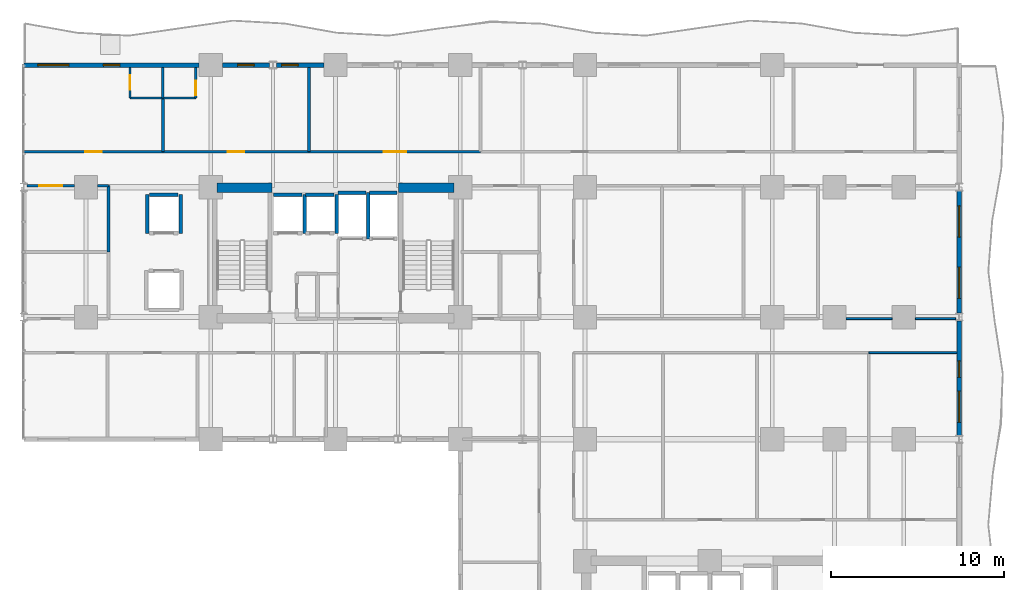
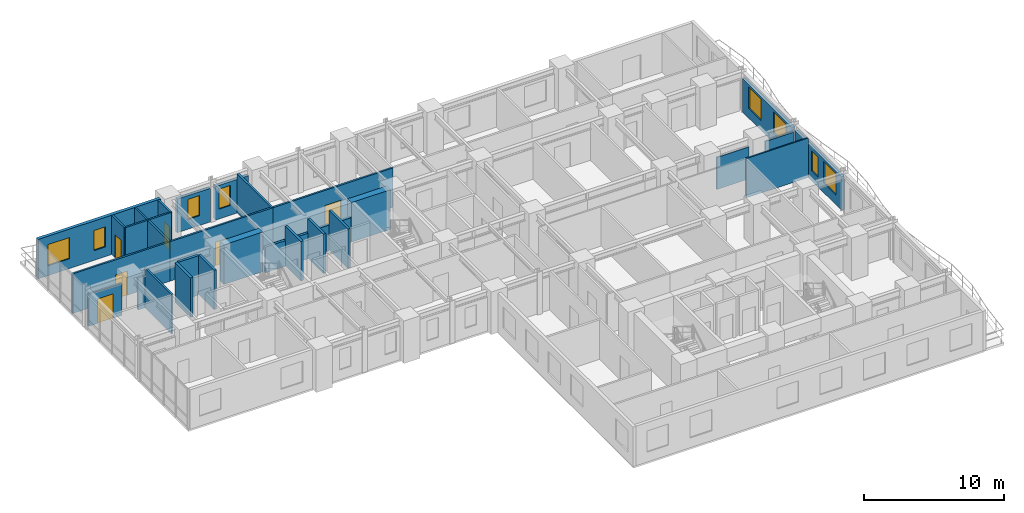
# One storey, part 14 of 19: 33 walls, 8 windows, 6 doors, 14 openings.
"""IFC4 building model written with IfcOpenShell, lengths in metres."""

from ifc_helpers import new_model, si_unit, direction, frame, frame_2d, origin, place, context, subcontext, project, spatial, rectangle, extrude, material, layer, layer_set, type_object, element, fill, save


model = new_model("IFC4")

# Units and contexts
model_context = context("Model", 3, precision=1e-05, world=origin(), true_north=direction((0.0, 1.0)))
body_context = subcontext(model_context, "Body", "Model", "MODEL_VIEW")
ifc_project = project(units=[si_unit("LENGTHUNIT", "METRE"), si_unit("AREAUNIT", "SQUARE_METRE"), si_unit("VOLUMEUNIT", "CUBIC_METRE"), si_unit("PLANEANGLEUNIT", "RADIAN"), si_unit("MASSUNIT", "GRAM", prefix="KILO")], contexts=[model_context])

# Site, building, storey
site_placement = place(None, origin())
site = spatial("IfcSite", under=ifc_project, at=site_placement, CompositionType="ELEMENT")
building_placement = place(site_placement, origin())
building = spatial("IfcBuilding", under=site, at=building_placement, Name="Kaliganga Portal Commons", CompositionType="ELEMENT")
storey_placement = place(building_placement, frame((0.0, 0.0, 47.5)))
storey = spatial("IfcBuildingStorey", under=building, at=storey_placement, Name="L11", CompositionType="ELEMENT", Elevation=47.5)

# Walls
ifc_material_1 = material(Name="Concrete C60/75", Category="concrete")
ifc_layer_1 = layer(ifc_material_1, 0.550048828125)
ifc_layer_set_1 = layer_set([ifc_layer_1], Name="Concrete C60/75")
wall_type_1 = type_object("IfcWallType", Name="WL-CORE-550", PredefinedType="SHEAR", material=ifc_layer_set_1)
for number, where, z_axis, x_axis, name in (
    (1, (14.75, 36.125, 0.0), (0.0, 0.0, 1.0), (1.0, 0.0, 0.0), "Core A N-West Shear Wall L11"),
    (2, (25.25, 36.125, 0.0), (0.0, 0.0, 1.0), (1.0, 0.0, 0.0), "Core A N-East Shear Wall L11"),
):
    element("IfcWall", number, at=place(storey_placement, frame(where, z_axis=z_axis, x_axis=x_axis)), inside=storey, type_object=wall_type_1, Name=name, PredefinedType="SHEAR", context=body_context, shape_type="SweptSolid", body=[
        extrude(rectangle(XDim=3.199951171875, YDim=0.550048828125, at=frame_2d((1.60009765625, 0.0))), origin(), (0.0, 0.0, 1.0), 3.449951171875),
    ])

# Wall, openings, windows
ifc_material_2 = material(Name="Insulated Aluminium-Clad Spandrel Assembly", Category="aluminium")
ifc_layer_2 = layer(ifc_material_2, 0.260009765625)
ifc_layer_set_2 = layer_set([ifc_layer_2], Name="Insulated Aluminium-Clad Spandrel Assembly")
wall_type_2 = type_object("IfcWallType", Name="WL-EXT-SPAND-260", PredefinedType="STANDARD", material=ifc_layer_set_2)
wall_1_placement = place(storey_placement, frame((57.60009765625, 28.426025390625, 0.0), z_axis=(0.0, 0.0, 1.0), x_axis=(0.0, -1.0, 0.0)))
wall_1 = element("IfcWall", 3, at=wall_1_placement, inside=storey, type_object=wall_type_2, Name="Exterior Envelope Wall L11 P1-E01-S4", PredefinedType="STANDARD", context=body_context, shape_type="SweptSolid", body=[
    extrude(rectangle(XDim=6.60205078125, YDim=0.260009765625, at=frame_2d((3.301025390625, 0.0))), origin(), (0.0, 0.0, 1.0), 2.929931640625),
])
opening_1_placement = place(wall_1_placement, frame((4.051513671875, 0.0, 0.85009765625)))
opening_1 = element("IfcOpeningElement", 4, at=opening_1_placement, cuts=wall_1, Name="Opening W-01", PredefinedType="OPENING", context=body_context, shape_type="SweptSolid", body=[
    extrude(rectangle(XDim=1.800048828125, YDim=1.85009765625, at=frame_2d((0.89990234375, 0.925048828125))), frame((0.0, 0.14013671875, 0.0), z_axis=(0.0, -1.0, 0.0), x_axis=(1.0, 0.0, 0.0)), (0.0, 0.0, 1.0), 0.280029296875),
])
opening_2_placement = place(wall_1_placement, frame((2.2978515625, 0.0, 0.85009765625)))
opening_2 = element("IfcOpeningElement", 5, at=opening_2_placement, cuts=wall_1, Name="Opening W-04", PredefinedType="OPENING", context=body_context, shape_type="SweptSolid", body=[
    extrude(rectangle(XDim=0.949951171875, YDim=1.75, at=frame_2d((0.47509765625, 0.875))), frame((0.0, 0.14013671875, 0.0), z_axis=(0.0, -1.0, 0.0), x_axis=(1.0, 0.0, 0.0)), (0.0, 0.0, 1.0), 0.280029296875),
])
ifc_material_3 = material(Name="Thermally Broken Aluminium and Low-E Double Glazing", Category="aluminium")
window_type_1 = type_object("IfcWindowType", Name="WIN-NARROW-950", PartitioningType="SINGLE_PANEL", PredefinedType="WINDOW", material=ifc_material_3)
window_1_placement = place(opening_2_placement, origin())
window_1 = element("IfcWindow", 6, at=window_1_placement, inside=storey, type_object=window_type_1, Name="Facade Window L11-P1E01S4-N5", OverallHeight=1.75, OverallWidth=0.949951171875, PartitioningType="SINGLE_PANEL", PredefinedType="WINDOW", context=body_context, shape_type="SweptSolid", body=[
    extrude(rectangle(XDim=0.949951171875, YDim=1.75, at=frame_2d((0.47509765625, 0.875))), frame((0.0, 0.030029296875, 0.0), z_axis=(0.0, -1.0, 0.0), x_axis=(1.0, 0.0, 0.0)), (0.0, 0.0, 1.0), 0.06005859375),
])
fill(opening_2, window_1)
window_type_2 = type_object("IfcWindowType", Name="WIN-STD-1800", PartitioningType="DOUBLE_PANEL_VERTICAL", PredefinedType="WINDOW", material=ifc_material_3)
window_2_placement = place(opening_1_placement, origin())
window_2 = element("IfcWindow", 7, at=window_2_placement, inside=storey, type_object=window_type_2, Name="Facade Window L11-P1E01S4-01", OverallHeight=1.85009765625, OverallWidth=1.800048828125, PartitioningType="SINGLE_PANEL", PredefinedType="WINDOW", context=body_context, shape_type="SweptSolid", body=[
    extrude(rectangle(XDim=1.800048828125, YDim=1.85009765625, at=frame_2d((0.89990234375, 0.925048828125))), frame((0.0, 0.030029296875, 0.0), z_axis=(0.0, -1.0, 0.0), x_axis=(1.0, 0.0, 0.0)), (0.0, 0.0, 1.0), 0.06005859375),
])
fill(opening_1, window_2)

wall_2_placement = place(storey_placement, frame((57.60009765625, 35.926025390625, 0.0), z_axis=(0.0, 0.0, 1.0), x_axis=(0.0, -1.0, 0.0)))
wall_2 = element("IfcWall", 8, at=wall_2_placement, inside=storey, type_object=wall_type_2, Name="Exterior Envelope Wall L11 P1-E01-S5", PredefinedType="STANDARD", context=body_context, shape_type="SweptSolid", body=[
    extrude(rectangle(XDim=7.052001953125, YDim=0.260009765625, at=frame_2d((3.52587890625, 0.0))), origin(), (0.0, 0.0, 1.0), 2.929931640625),
])
opening_3_placement = place(wall_2_placement, frame((0.863037109375, 0.0, 0.85009765625)))
opening_3 = element("IfcOpeningElement", 9, at=opening_3_placement, cuts=wall_2, Name="Opening W-01", PredefinedType="OPENING", context=body_context, shape_type="SweptSolid", body=[
    extrude(rectangle(XDim=1.800048828125, YDim=1.85009765625, at=frame_2d((0.89990234375, 0.925048828125))), frame((0.0, 0.14013671875, 0.0), z_axis=(0.0, -1.0, 0.0), x_axis=(1.0, 0.0, 0.0)), (0.0, 0.0, 1.0), 0.280029296875),
])
opening_4_placement = place(wall_2_placement, frame((4.388916015625, 0.0, 0.85009765625)))
opening_4 = element("IfcOpeningElement", 10, at=opening_4_placement, cuts=wall_2, Name="Opening W-01", PredefinedType="OPENING", context=body_context, shape_type="SweptSolid", body=[
    extrude(rectangle(XDim=1.800048828125, YDim=1.85009765625, at=frame_2d((0.89990234375, 0.925048828125))), frame((0.0, 0.14013671875, 0.0), z_axis=(0.0, -1.0, 0.0), x_axis=(1.0, 0.0, 0.0)), (0.0, 0.0, 1.0), 0.280029296875),
])
window_3_placement = place(opening_3_placement, origin())
window_3 = element("IfcWindow", 11, at=window_3_placement, inside=storey, type_object=window_type_2, Name="Facade Window L11-P1E01S5-00", OverallHeight=1.85009765625, OverallWidth=1.800048828125, PartitioningType="SINGLE_PANEL", PredefinedType="WINDOW", context=body_context, shape_type="SweptSolid", body=[
    extrude(rectangle(XDim=1.800048828125, YDim=1.85009765625, at=frame_2d((0.89990234375, 0.925048828125))), frame((0.0, 0.030029296875, 0.0), z_axis=(0.0, -1.0, 0.0), x_axis=(1.0, 0.0, 0.0)), (0.0, 0.0, 1.0), 0.06005859375),
])
fill(opening_3, window_3)
window_4_placement = place(opening_4_placement, origin())
window_4 = element("IfcWindow", 12, at=window_4_placement, inside=storey, type_object=window_type_2, Name="Facade Window L11-P1E01S5-01", OverallHeight=1.85009765625, OverallWidth=1.800048828125, PartitioningType="SINGLE_PANEL", PredefinedType="WINDOW", context=body_context, shape_type="SweptSolid", body=[
    extrude(rectangle(XDim=1.800048828125, YDim=1.85009765625, at=frame_2d((0.89990234375, 0.925048828125))), frame((0.0, 0.030029296875, 0.0), z_axis=(0.0, -1.0, 0.0), x_axis=(1.0, 0.0, 0.0)), (0.0, 0.0, 1.0), 0.06005859375),
])
fill(opening_4, window_4)

# Wall, opening, window
wall_3_placement = place(storey_placement, frame((18.208984375, 43.199951171875, 0.0), z_axis=(0.0, 0.0, 1.0), x_axis=(1.0, 0.0, 0.0)))
wall_3 = element("IfcWall", 13, at=wall_3_placement, inside=storey, type_object=wall_type_2, Name="Exterior Envelope Wall L11 P1-E02-S7", PredefinedType="STANDARD", context=body_context, shape_type="SweptSolid", body=[
    extrude(rectangle(XDim=2.715087890625, YDim=0.260009765625, at=frame_2d((1.357421875, 0.0))), origin(), (0.0, 0.0, 1.0), 2.929931640625),
])
opening_5_placement = place(wall_3_placement, frame((0.28515625, 0.0, 0.85009765625)))
opening_5 = element("IfcOpeningElement", 14, at=opening_5_placement, cuts=wall_3, Name="Opening W-04", PredefinedType="OPENING", context=body_context, shape_type="SweptSolid", body=[
    extrude(rectangle(XDim=0.949951171875, YDim=1.75, at=frame_2d((0.47509765625, 0.875))), frame((0.0, 0.14013671875, 0.0), z_axis=(0.0, -1.0, 0.0), x_axis=(1.0, 0.0, 0.0)), (0.0, 0.0, 1.0), 0.280029296875),
])
window_5_placement = place(opening_5_placement, origin())
window_5 = element("IfcWindow", 15, at=window_5_placement, inside=storey, type_object=window_type_1, Name="Facade Window L11-P1E02S7-N3", OverallHeight=1.75, OverallWidth=0.949951171875, PartitioningType="SINGLE_PANEL", PredefinedType="WINDOW", context=body_context, shape_type="SweptSolid", body=[
    extrude(rectangle(XDim=0.949951171875, YDim=1.75, at=frame_2d((0.47509765625, 0.875))), frame((0.0, 0.030029296875, 0.0), z_axis=(0.0, -1.0, 0.0), x_axis=(1.0, 0.0, 0.0)), (0.0, 0.0, 1.0), 0.06005859375),
])
fill(opening_5, window_5)

wall_4_placement = place(storey_placement, frame((15.075927734375, 43.199951171875, 0.0), z_axis=(0.0, 0.0, 1.0), x_axis=(1.0, 0.0, 0.0)))
wall_4 = element("IfcWall", 16, at=wall_4_placement, inside=storey, type_object=wall_type_2, Name="Exterior Envelope Wall L11 P1-E02-S8", PredefinedType="STANDARD", context=body_context, shape_type="SweptSolid", body=[
    extrude(rectangle(XDim=2.715087890625, YDim=0.260009765625, at=frame_2d((1.357421875, 0.0))), origin(), (0.0, 0.0, 1.0), 2.929931640625),
])
opening_6_placement = place(wall_4_placement, frame((0.882568359375, 0.0, 0.85009765625)))
opening_6 = element("IfcOpeningElement", 17, at=opening_6_placement, cuts=wall_4, Name="Opening W-04", PredefinedType="OPENING", context=body_context, shape_type="SweptSolid", body=[
    extrude(rectangle(XDim=0.949951171875, YDim=1.75, at=frame_2d((0.47509765625, 0.875))), frame((0.0, 0.14013671875, 0.0), z_axis=(0.0, -1.0, 0.0), x_axis=(1.0, 0.0, 0.0)), (0.0, 0.0, 1.0), 0.280029296875),
])
window_6_placement = place(opening_6_placement, origin())
window_6 = element("IfcWindow", 18, at=window_6_placement, inside=storey, type_object=window_type_1, Name="Facade Window L11-P1E02S8-00", OverallHeight=1.75, OverallWidth=0.949951171875, PartitioningType="SINGLE_PANEL", PredefinedType="WINDOW", context=body_context, shape_type="SweptSolid", body=[
    extrude(rectangle(XDim=0.949951171875, YDim=1.75, at=frame_2d((0.47509765625, 0.875))), frame((0.0, 0.030029296875, 0.0), z_axis=(0.0, -1.0, 0.0), x_axis=(1.0, 0.0, 0.0)), (0.0, 0.0, 1.0), 0.06005859375),
])
fill(opening_6, window_6)

# Wall, openings, windows
wall_5_placement = place(storey_placement, frame((3.636962890625, 43.199951171875, 0.0), z_axis=(0.0, 0.0, 1.0), x_axis=(1.0, 0.0, 0.0)))
wall_5 = element("IfcWall", 19, at=wall_5_placement, inside=storey, type_object=wall_type_2, Name="Exterior Envelope Wall L11 P1-E02-S9", PredefinedType="STANDARD", context=body_context, shape_type="SweptSolid", body=[
    extrude(rectangle(XDim=10.087158203125, YDim=0.260009765625, at=frame_2d((5.04345703125, 0.0))), origin(), (0.0, 0.0, 1.0), 3.429931640625),
])
opening_7_placement = place(wall_5_placement, frame((0.78125, 0.0, 0.85009765625)))
opening_7 = element("IfcOpeningElement", 20, at=opening_7_placement, cuts=wall_5, Name="Opening W-01", PredefinedType="OPENING", context=body_context, shape_type="SweptSolid", body=[
    extrude(rectangle(XDim=1.800048828125, YDim=1.85009765625, at=frame_2d((0.89990234375, 0.925048828125))), frame((0.0, 0.14013671875, 0.0), z_axis=(0.0, -1.0, 0.0), x_axis=(1.0, 0.0, 0.0)), (0.0, 0.0, 1.0), 0.280029296875),
])
opening_8_placement = place(wall_5_placement, frame((4.568603515625, 0.0, 0.85009765625)))
opening_8 = element("IfcOpeningElement", 21, at=opening_8_placement, cuts=wall_5, Name="Opening W-04", PredefinedType="OPENING", context=body_context, shape_type="SweptSolid", body=[
    extrude(rectangle(XDim=0.949951171875, YDim=1.75, at=frame_2d((0.47509765625, 0.875))), frame((0.0, 0.14013671875, 0.0), z_axis=(0.0, -1.0, 0.0), x_axis=(1.0, 0.0, 0.0)), (0.0, 0.0, 1.0), 0.280029296875),
])
window_7_placement = place(opening_8_placement, origin())
window_7 = element("IfcWindow", 22, at=window_7_placement, inside=storey, type_object=window_type_1, Name="Facade Window L11-P1E02S9-N0", OverallHeight=1.75, OverallWidth=0.949951171875, PartitioningType="SINGLE_PANEL", PredefinedType="WINDOW", context=body_context, shape_type="SweptSolid", body=[
    extrude(rectangle(XDim=0.949951171875, YDim=1.75, at=frame_2d((0.47509765625, 0.875))), frame((0.0, 0.030029296875, 0.0), z_axis=(0.0, -1.0, 0.0), x_axis=(1.0, 0.0, 0.0)), (0.0, 0.0, 1.0), 0.06005859375),
])
fill(opening_8, window_7)
window_8_placement = place(opening_7_placement, origin())
window_8 = element("IfcWindow", 23, at=window_8_placement, inside=storey, type_object=window_type_2, Name="Facade Window L11-P1E02S9-00", OverallHeight=1.85009765625, OverallWidth=1.800048828125, PartitioningType="SINGLE_PANEL", PredefinedType="WINDOW", context=body_context, shape_type="SweptSolid", body=[
    extrude(rectangle(XDim=1.800048828125, YDim=1.85009765625, at=frame_2d((0.89990234375, 0.925048828125))), frame((0.0, 0.030029296875, 0.0), z_axis=(0.0, -1.0, 0.0), x_axis=(1.0, 0.0, 0.0)), (0.0, 0.0, 1.0), 0.06005859375),
])
fill(opening_7, window_8)

# Wall, opening, door
ifc_material_4 = material(Name="Fire-Rated Gypsum Board on Steel Stud", Category="steel")
ifc_layer_3 = layer(ifc_material_4, 0.14990234375)
ifc_layer_set_3 = layer_set([ifc_layer_3], Name="Fire-Rated Gypsum Board on Steel Stud")
wall_type_3 = type_object("IfcWallType", Name="WL-PART-CORR-150", PredefinedType="PARTITIONING", material=ifc_layer_set_3)
wall_6_placement = place(storey_placement, frame((20.080078125, 38.199951171875, 0.0), z_axis=(0.0, 0.0, 1.0), x_axis=(1.0, 0.0, 0.0)))
wall_6 = element("IfcWall", 24, at=wall_6_placement, inside=storey, type_object=wall_type_3, Name="Interior Partition L11-009", PredefinedType="PARTITIONING", context=body_context, shape_type="SweptSolid", body=[
    extrude(rectangle(XDim=9.89990234375, YDim=0.14990234375, at=frame_2d((4.949951171875, 0.0))), origin(), (0.0, 0.0, 1.0), 3.429931640625),
])
opening_9_placement = place(wall_6_placement, frame((4.300048828125, 0.0, 0.0)))
opening_9 = element("IfcOpeningElement", 25, at=opening_9_placement, cuts=wall_6, Name="Opening RD-03", PredefinedType="OPENING", context=body_context, shape_type="SweptSolid", body=[
    extrude(rectangle(XDim=1.300048828125, YDim=2.1201171875, at=frame_2d((0.64990234375, 1.06005859375))), frame((0.0, 0.0849609375, 0.0), z_axis=(0.0, -1.0, 0.0), x_axis=(1.0, 0.0, 0.0)), (0.0, 0.0, 1.0), 0.169921875),
])
ifc_material_5 = material(Name="Glazed Timber Seminar Vision Door", Category="wood")
door_type_1 = type_object("IfcDoorType", Name="DR-STUDY-1300", OperationType="DOUBLE_DOOR_SINGLE_SWING", PredefinedType="DOOR", material=ifc_material_5)
door_1_placement = place(opening_9_placement, origin())
door_1 = element("IfcDoor", 26, at=door_1_placement, inside=storey, type_object=door_type_1, Name="Interior Door L11-AN03", OperationType="DOUBLE_DOOR_SINGLE_SWING", OverallHeight=2.1201171875, OverallWidth=1.300048828125, PredefinedType="DOOR", context=body_context, shape_type="SweptSolid", body=[
    extrude(rectangle(XDim=1.300048828125, YDim=2.1201171875, at=frame_2d((0.64990234375, 1.06005859375))), frame((0.0, 0.02490234375, 0.0), z_axis=(0.0, -1.0, 0.0), x_axis=(1.0, 0.0, 0.0)), (0.0, 0.0, 1.0), 0.050048828125),
])
fill(opening_9, door_1)

wall_7_placement = place(storey_placement, frame((11.639892578125, 38.199951171875, 0.0), z_axis=(0.0, 0.0, 1.0), x_axis=(1.0, 0.0, 0.0)))
wall_7 = element("IfcWall", 27, at=wall_7_placement, inside=storey, type_object=wall_type_3, Name="Interior Partition L11-014", PredefinedType="PARTITIONING", context=body_context, shape_type="SweptSolid", body=[
    extrude(rectangle(XDim=8.440185546875, YDim=0.14990234375, at=frame_2d((4.22021484375, 0.0))), origin(), (0.0, 0.0, 1.0), 3.429931640625),
])
opening_10_placement = place(wall_7_placement, frame((3.7451171875, 0.0, 0.0)))
opening_10 = element("IfcOpeningElement", 28, at=opening_10_placement, cuts=wall_7, Name="Opening UD-01", PredefinedType="OPENING", context=body_context, shape_type="SweptSolid", body=[
    extrude(rectangle(XDim=0.949951171875, YDim=2.10009765625, at=frame_2d((0.47509765625, 1.050048828125))), frame((0.0, 0.0849609375, 0.0), z_axis=(0.0, -1.0, 0.0), x_axis=(1.0, 0.0, 0.0)), (0.0, 0.0, 1.0), 0.169921875),
])
ifc_material_6 = material(Name="Solid-Core Timber Acoustic Fire Door", Category="wood")
door_type_2 = type_object("IfcDoorType", Name="DR-UNIT-950", OperationType="NOTDEFINED", PredefinedType="DOOR", material=ifc_material_6)
door_2_placement = place(opening_10_placement, origin())
door_2 = element("IfcDoor", 29, at=door_2_placement, inside=storey, type_object=door_type_2, Name="Interior Door L11-AN02", OperationType="SINGLE_SWING_RIGHT", OverallHeight=2.10009765625, OverallWidth=0.949951171875, PredefinedType="DOOR", context=body_context, shape_type="SweptSolid", body=[
    extrude(rectangle(XDim=0.949951171875, YDim=2.10009765625, at=frame_2d((0.47509765625, 1.050048828125))), frame((0.0, 0.02490234375, 0.0), z_axis=(0.0, -1.0, 0.0), x_axis=(1.0, 0.0, 0.0)), (0.0, 0.0, 1.0), 0.050048828125),
])
fill(opening_10, door_2)

wall_8_placement = place(storey_placement, frame((3.6201171875, 38.199951171875, 0.0), z_axis=(0.0, 0.0, 1.0), x_axis=(1.0, 0.0, 0.0)))
wall_8 = element("IfcWall", 30, at=wall_8_placement, inside=storey, type_object=wall_type_3, Name="Interior Partition L11-017", PredefinedType="PARTITIONING", context=body_context, shape_type="SweptSolid", body=[
    extrude(rectangle(XDim=8.019775390625, YDim=0.14990234375, at=frame_2d((4.009765625, 0.0))), origin(), (0.0, 0.0, 1.0), 3.429931640625),
])
opening_11_placement = place(wall_8_placement, frame((3.534912109375, 0.0, 0.0)))
opening_11 = element("IfcOpeningElement", 31, at=opening_11_placement, cuts=wall_8, Name="Opening UD-01", PredefinedType="OPENING", context=body_context, shape_type="SweptSolid", body=[
    extrude(rectangle(XDim=0.949951171875, YDim=2.10009765625, at=frame_2d((0.47509765625, 1.050048828125))), frame((0.0, 0.0849609375, 0.0), z_axis=(0.0, -1.0, 0.0), x_axis=(1.0, 0.0, 0.0)), (0.0, 0.0, 1.0), 0.169921875),
])
door_3_placement = place(opening_11_placement, origin())
door_3 = element("IfcDoor", 32, at=door_3_placement, inside=storey, type_object=door_type_2, Name="Interior Door L11-AN01", OperationType="SINGLE_SWING_RIGHT", OverallHeight=2.10009765625, OverallWidth=0.949951171875, PredefinedType="DOOR", context=body_context, shape_type="SweptSolid", body=[
    extrude(rectangle(XDim=0.949951171875, YDim=2.10009765625, at=frame_2d((0.47509765625, 1.050048828125))), frame((0.0, 0.02490234375, 0.0), z_axis=(0.0, -1.0, 0.0), x_axis=(1.0, 0.0, 0.0)), (0.0, 0.0, 1.0), 0.050048828125),
])
fill(opening_11, door_3)

wall_9_placement = place(storey_placement, frame((3.80810546875, 36.239990234375, 0.0), z_axis=(0.0, 0.0, 1.0), x_axis=(1.0, 0.0, 0.0)))
wall_9 = element("IfcWall", 33, at=wall_9_placement, inside=storey, type_object=wall_type_3, Name="Interior Partition L11-037", PredefinedType="PARTITIONING", context=body_context, shape_type="SweptSolid", body=[
    extrude(rectangle(XDim=2.716796875, YDim=0.14990234375, at=frame_2d((1.3583984375, 0.0))), origin(), (0.0, 0.0, 1.0), 2.780029296875),
])
opening_12_placement = place(wall_9_placement, frame((0.70849609375, 0.0, 0.0)))
opening_12 = element("IfcOpeningElement", 34, at=opening_12_placement, cuts=wall_9, Name="Opening RD-03", PredefinedType="OPENING", context=body_context, shape_type="SweptSolid", body=[
    extrude(rectangle(XDim=1.300048828125, YDim=2.1201171875, at=frame_2d((0.64990234375, 1.06005859375))), frame((0.0, 0.0849609375, 0.0), z_axis=(0.0, -1.0, 0.0), x_axis=(1.0, 0.0, 0.0)), (0.0, 0.0, 1.0), 0.169921875),
])
door_4_placement = place(opening_12_placement, origin())
door_4 = element("IfcDoor", 35, at=door_4_placement, inside=storey, type_object=door_type_1, Name="Interior Door L11-AW02", OperationType="DOUBLE_DOOR_SINGLE_SWING", OverallHeight=2.1201171875, OverallWidth=1.300048828125, PredefinedType="DOOR", context=body_context, shape_type="SweptSolid", body=[
    extrude(rectangle(XDim=1.300048828125, YDim=2.1201171875, at=frame_2d((0.64990234375, 1.06005859375))), frame((0.0, 0.02490234375, 0.0), z_axis=(0.0, -1.0, 0.0), x_axis=(1.0, 0.0, 0.0)), (0.0, 0.0, 1.0), 0.050048828125),
])
fill(opening_12, door_4)

# Walls
wall_10_placement = place(storey_placement, frame((7.875, 36.239990234375, 0.0), z_axis=(0.0, 0.0, 1.0), x_axis=(1.0, 0.0, 0.0)))
element("IfcWall", 36, at=wall_10_placement, inside=storey, type_object=wall_type_3, Name="Interior Partition L11-038", PredefinedType="PARTITIONING", context=body_context, shape_type="SweptSolid", body=[
    extrude(rectangle(XDim=0.625, YDim=0.14990234375, at=frame_2d((0.3125, 0.0))), origin(), (0.0, 0.0, 1.0), 2.780029296875),
])
wall_11_placement = place(storey_placement, frame((8.5, 32.39990234375, 0.0), z_axis=(0.0, 0.0, 1.0), x_axis=(0.0, 1.0, 0.0)))
element("IfcWall", 37, at=wall_11_placement, inside=storey, type_object=wall_type_3, Name="Interior Partition L11-045", PredefinedType="PARTITIONING", context=body_context, shape_type="SweptSolid", body=[
    extrude(rectangle(XDim=3.840087890625, YDim=0.14990234375, at=frame_2d((1.919921875, 0.0))), origin(), (0.0, 0.0, 1.0), 3.429931640625),
])
ifc_material_7 = material(Name="Moisture-Resistant Gypsum Partition", Category="gypsum")
ifc_layer_4 = layer(ifc_material_7, 0.114990234375)
ifc_layer_set_4 = layer_set([ifc_layer_4], Name="Moisture-Resistant Gypsum Partition")
wall_type_4 = type_object("IfcWallType", Name="WL-PART-ROOM-115", PredefinedType="PARTITIONING", material=ifc_layer_set_4)
wall_12_placement = place(storey_placement, frame((51.074951171875, 28.56005859375, 0.0), z_axis=(0.0, 0.0, 1.0), x_axis=(1.0, 0.0, 0.0)))
element("IfcWall", 38, at=wall_12_placement, inside=storey, type_object=wall_type_4, Name="Interior Partition L11-062", PredefinedType="PARTITIONING", context=body_context, shape_type="SweptSolid", body=[
    extrude(rectangle(XDim=2.650146484375, YDim=0.114990234375, at=frame_2d((1.3251953125, 0.0))), origin(), (0.0, 0.0, 1.0), 2.780029296875),
])
wall_13_placement = place(storey_placement, frame((55.074951171875, 28.56005859375, 0.0), z_axis=(0.0, 0.0, 1.0), x_axis=(1.0, 0.0, 0.0)))
element("IfcWall", 39, at=wall_13_placement, inside=storey, type_object=wall_type_4, Name="Interior Partition L11-063", PredefinedType="PARTITIONING", context=body_context, shape_type="SweptSolid", body=[
    extrude(rectangle(XDim=2.317138671875, YDim=0.114990234375, at=frame_2d((1.15869140625, 0.0))), origin(), (0.0, 0.0, 1.0), 2.780029296875),
])
wall_14_placement = place(storey_placement, frame((52.3798828125, 26.60009765625, 0.0), z_axis=(0.0, 0.0, 1.0), x_axis=(1.0, 0.0, 0.0)))
element("IfcWall", 40, at=wall_14_placement, inside=storey, type_object=wall_type_4, Name="Interior Partition L11-069", PredefinedType="PARTITIONING", context=body_context, shape_type="SweptSolid", body=[
    extrude(rectangle(XDim=5.088134765625, YDim=0.114990234375, at=frame_2d((2.5439453125, 0.0))), origin(), (0.0, 0.0, 1.0), 3.429931640625),
])
ifc_material_8 = material(Name="Twin-Stud Acoustic Gypsum Partition", Category="gypsum")
ifc_layer_5 = layer(ifc_material_8, 0.1650390625)
ifc_layer_set_5 = layer_set([ifc_layer_5], Name="Twin-Stud Acoustic Gypsum Partition")
wall_type_5 = type_object("IfcWallType", Name="WL-PART-UNIT-165", PredefinedType="PARTITIONING", material=ifc_layer_set_5)
wall_15_placement = place(storey_placement, frame((20.080078125, 38.199951171875, 0.0), z_axis=(0.0, 0.0, 1.0), x_axis=(0.0, 1.0, 0.0)))
element("IfcWall", 41, at=wall_15_placement, inside=storey, type_object=wall_type_5, Name="Interior Partition L11-075", PredefinedType="PARTITIONING", context=body_context, shape_type="SweptSolid", body=[
    extrude(rectangle(XDim=4.8681640625, YDim=0.1650390625, at=frame_2d((2.43408203125, 0.0))), origin(), (0.0, 0.0, 1.0), 3.429931640625),
])
wall_16_placement = place(storey_placement, frame((11.639892578125, 38.199951171875, 0.0), z_axis=(0.0, 0.0, 1.0), x_axis=(0.0, 1.0, 0.0)))
element("IfcWall", 42, at=wall_16_placement, inside=storey, type_object=wall_type_5, Name="Interior Partition L11-089", PredefinedType="PARTITIONING", context=body_context, shape_type="SweptSolid", body=[
    extrude(rectangle(XDim=3.10009765625, YDim=0.1650390625, at=frame_2d((1.550048828125, 0.0))), origin(), (0.0, 0.0, 1.0), 3.429931640625),
])

# Wall, opening, door
ifc_material_9 = material(Name="Cement-Board Wet-Room Partition", Category="gypsum")
ifc_layer_6 = layer(ifc_material_9, 0.135009765625)
ifc_layer_set_6 = layer_set([ifc_layer_6], Name="Cement-Board Wet-Room Partition")
wall_type_6 = type_object("IfcWallType", Name="WL-PART-WET-135", PredefinedType="PARTITIONING", material=ifc_layer_set_6)
wall_17_placement = place(storey_placement, frame((9.739990234375, 41.300048828125, 0.0), z_axis=(0.0, 0.0, 1.0), x_axis=(0.0, 1.0, 0.0)))
wall_17 = element("IfcWall", 43, at=wall_17_placement, inside=storey, type_object=wall_type_6, Name="Interior Partition L11-001", PredefinedType="PARTITIONING", context=body_context, shape_type="SweptSolid", body=[
    extrude(rectangle(XDim=1.76806640625, YDim=0.135009765625, at=frame_2d((0.884033203125, 0.0))), origin(), (0.0, 0.0, 1.0), 3.429931640625),
])
opening_13_placement = place(wall_17_placement, frame((0.458984375, 0.0, 0.0)))
opening_13 = element("IfcOpeningElement", 44, at=opening_13_placement, cuts=wall_17, Name="Opening WD-01", PredefinedType="OPENING", context=body_context, shape_type="SweptSolid", body=[
    extrude(rectangle(XDim=0.85009765625, YDim=2.0400390625, at=frame_2d((0.425048828125, 1.02001953125))), frame((0.0, 0.07763671875, 0.0), z_axis=(0.0, -1.0, 0.0), x_axis=(1.0, 0.0, 0.0)), (0.0, 0.0, 1.0), 0.155029296875),
])
ifc_material_10 = material(Name="Moisture-Resistant Laminate Timber Door", Category="wood")
door_type_3 = type_object("IfcDoorType", Name="DR-WET-850", OperationType="NOTDEFINED", PredefinedType="DOOR", material=ifc_material_10)
door_5_placement = place(opening_13_placement, origin())
door_5 = element("IfcDoor", 45, at=door_5_placement, inside=storey, type_object=door_type_3, Name="Interior Door L11-AN01E", OperationType="SINGLE_SWING_LEFT", OverallHeight=2.0400390625, OverallWidth=0.85009765625, PredefinedType="DOOR", context=body_context, shape_type="SweptSolid", body=[
    extrude(rectangle(XDim=0.85009765625, YDim=2.0400390625, at=frame_2d((0.425048828125, 1.02001953125))), frame((0.0, 0.02490234375, 0.0), z_axis=(0.0, -1.0, 0.0), x_axis=(1.0, 0.0, 0.0)), (0.0, 0.0, 1.0), 0.050048828125),
])
fill(opening_13, door_5)

# Wall
wall_18_placement = place(storey_placement, frame((11.639892578125, 41.300048828125, 0.0), z_axis=(0.0, 0.0, 1.0), x_axis=(0.0, 1.0, 0.0)))
element("IfcWall", 46, at=wall_18_placement, inside=storey, type_object=wall_type_6, Name="Interior Partition L11-002", PredefinedType="PARTITIONING", context=body_context, shape_type="SweptSolid", body=[
    extrude(rectangle(XDim=1.76806640625, YDim=0.135009765625, at=frame_2d((0.884033203125, 0.0))), origin(), (0.0, 0.0, 1.0), 3.429931640625),
])

# Wall, opening, door
wall_19_placement = place(storey_placement, frame((13.5400390625, 41.300048828125, 0.0), z_axis=(0.0, 0.0, 1.0), x_axis=(0.0, 1.0, 0.0)))
wall_19 = element("IfcWall", 47, at=wall_19_placement, inside=storey, type_object=wall_type_6, Name="Interior Partition L11-003", PredefinedType="PARTITIONING", context=body_context, shape_type="SweptSolid", body=[
    extrude(rectangle(XDim=1.76806640625, YDim=0.135009765625, at=frame_2d((0.884033203125, 0.0))), origin(), (0.0, 0.0, 1.0), 3.429931640625),
])
opening_14_placement = place(wall_19_placement, frame((0.140869140625, 0.0, 0.0)))
opening_14 = element("IfcOpeningElement", 48, at=opening_14_placement, cuts=wall_19, Name="Opening WD-01", PredefinedType="OPENING", context=body_context, shape_type="SweptSolid", body=[
    extrude(rectangle(XDim=0.85009765625, YDim=2.0400390625, at=frame_2d((0.425048828125, 1.02001953125))), frame((0.0, 0.07763671875, 0.0), z_axis=(0.0, -1.0, 0.0), x_axis=(1.0, 0.0, 0.0)), (0.0, 0.0, 1.0), 0.155029296875),
])
door_6_placement = place(opening_14_placement, origin())
door_6 = element("IfcDoor", 49, at=door_6_placement, inside=storey, type_object=door_type_3, Name="Interior Door L11-AN02E", OperationType="SINGLE_SWING_RIGHT", OverallHeight=2.0400390625, OverallWidth=0.85009765625, PredefinedType="DOOR", context=body_context, shape_type="SweptSolid", body=[
    extrude(rectangle(XDim=0.85009765625, YDim=2.0400390625, at=frame_2d((0.425048828125, 1.02001953125))), frame((0.0, 0.02490234375, 0.0), z_axis=(0.0, -1.0, 0.0), x_axis=(1.0, 0.0, 0.0)), (0.0, 0.0, 1.0), 0.050048828125),
])
fill(opening_14, door_6)

# Walls
wall_20_placement = place(storey_placement, frame((9.739990234375, 41.300048828125, 0.0), z_axis=(0.0, 0.0, 1.0), x_axis=(1.0, 0.0, 0.0)))
element("IfcWall", 50, at=wall_20_placement, inside=storey, type_object=wall_type_6, Name="Interior Partition L11-004", PredefinedType="PARTITIONING", context=body_context, shape_type="SweptSolid", body=[
    extrude(rectangle(XDim=1.89990234375, YDim=0.135009765625, at=frame_2d((0.949951171875, 0.0))), origin(), (0.0, 0.0, 1.0), 3.429931640625),
])
wall_21_placement = place(storey_placement, frame((11.639892578125, 41.300048828125, 0.0), z_axis=(0.0, 0.0, 1.0), x_axis=(1.0, 0.0, 0.0)))
element("IfcWall", 51, at=wall_21_placement, inside=storey, type_object=wall_type_6, Name="Interior Partition L11-005", PredefinedType="PARTITIONING", context=body_context, shape_type="SweptSolid", body=[
    extrude(rectangle(XDim=1.900146484375, YDim=0.135009765625, at=frame_2d((0.9501953125, 0.0))), origin(), (0.0, 0.0, 1.0), 3.429931640625),
])
ifc_material_11 = material(Name="Fire-Rated Shaftwall Masonry Assembly", Category="masonry")
ifc_layer_7 = layer(ifc_material_11, 0.199951171875)
ifc_layer_set_7 = layer_set([ifc_layer_7], Name="Fire-Rated Shaftwall Masonry Assembly")
wall_type_7 = type_object("IfcWallType", Name="WL-SHAFT-200", PredefinedType="PARTITIONING", material=ifc_layer_set_7)
wall_22_placement = place(storey_placement, frame((18.02490234375, 35.715087890625, 0.0), z_axis=(0.0, 0.0, 1.0), x_axis=(1.0, 0.0, 0.0)))
element("IfcWall", 52, at=wall_22_placement, inside=storey, type_object=wall_type_7, Name="Lift PL-A1 Hoistway Shaft Wall L11-N", PredefinedType="PARTITIONING", context=body_context, shape_type="SweptSolid", body=[
    extrude(rectangle(XDim=1.650146484375, YDim=0.199951171875, at=frame_2d((0.8251953125, 0.0))), origin(), (0.0, 0.0, 1.0), 2.22998046875),
])
wall_23_placement = place(storey_placement, frame((19.81494140625, 33.485107421875, 0.0), z_axis=(0.0, 0.0, 1.0), x_axis=(0.0, 1.0, 0.0)))
element("IfcWall", 53, at=wall_23_placement, inside=storey, type_object=wall_type_7, Name="Lift PL-A1 Hoistway Shaft Wall L11-E", PredefinedType="PARTITIONING", context=body_context, shape_type="SweptSolid", body=[
    extrude(rectangle(XDim=2.22998046875, YDim=0.199951171875, at=frame_2d((1.114990234375, 0.0))), origin(), (0.0, 0.0, 1.0), 3.429931640625),
])
wall_24_placement = place(storey_placement, frame((19.875, 35.715087890625, 0.0), z_axis=(0.0, 0.0, 1.0), x_axis=(1.0, 0.0, 0.0)))
element("IfcWall", 54, at=wall_24_placement, inside=storey, type_object=wall_type_7, Name="Lift PL-A2 Hoistway Shaft Wall L11-N", PredefinedType="PARTITIONING", context=body_context, shape_type="SweptSolid", body=[
    extrude(rectangle(XDim=1.64990234375, YDim=0.199951171875, at=frame_2d((0.824951171875, 0.0))), origin(), (0.0, 0.0, 1.0), 2.22998046875),
])
wall_25_placement = place(storey_placement, frame((21.6650390625, 33.485107421875, 0.0), z_axis=(0.0, 0.0, 1.0), x_axis=(0.0, 1.0, 0.0)))
element("IfcWall", 55, at=wall_25_placement, inside=storey, type_object=wall_type_7, Name="Lift PL-A2 Hoistway Shaft Wall L11-E", PredefinedType="PARTITIONING", context=body_context, shape_type="SweptSolid", body=[
    extrude(rectangle(XDim=2.22998046875, YDim=0.199951171875, at=frame_2d((1.114990234375, 0.0))), origin(), (0.0, 0.0, 1.0), 3.429931640625),
])
wall_26_placement = place(storey_placement, frame((10.875, 35.715087890625, 0.0), z_axis=(0.0, 0.0, 1.0), x_axis=(1.0, 0.0, 0.0)))
element("IfcWall", 56, at=wall_26_placement, inside=storey, type_object=wall_type_7, Name="Lift PL-OBS Hoistway Shaft Wall L11-N", PredefinedType="PARTITIONING", context=body_context, shape_type="SweptSolid", body=[
    extrude(rectangle(XDim=1.64990234375, YDim=0.199951171875, at=frame_2d((0.824951171875, 0.0))), origin(), (0.0, 0.0, 1.0), 3.429931640625),
])
for number, where, z_axis, x_axis, name in (
    (57, (10.735107421875, 33.485107421875, 0.0), (0.0, 0.0, 1.0), (0.0, 1.0, 0.0), "Lift PL-OBS Hoistway Shaft Wall L11-W"),
    (58, (12.6650390625, 33.485107421875, 0.0), (0.0, 0.0, 1.0), (0.0, 1.0, 0.0), "Lift PL-OBS Hoistway Shaft Wall L11-E"),
):
    element("IfcWall", number, at=place(storey_placement, frame(where, z_axis=z_axis, x_axis=x_axis)), inside=storey, type_object=wall_type_7, Name=name, PredefinedType="PARTITIONING", context=body_context, shape_type="SweptSolid", body=[
        extrude(rectangle(XDim=2.22998046875, YDim=0.199951171875, at=frame_2d((1.114990234375, 0.0))), origin(), (0.0, 0.0, 1.0), 3.429931640625),
    ])
wall_27_placement = place(storey_placement, frame((21.75, 35.840087890625, 0.0), z_axis=(0.0, 0.0, 1.0), x_axis=(1.0, 0.0, 0.0)))
element("IfcWall", 59, at=wall_27_placement, inside=storey, type_object=wall_type_7, Name="Lift FFL-1 Hoistway Shaft Wall L11-N", PredefinedType="PARTITIONING", context=body_context, shape_type="SweptSolid", body=[
    extrude(rectangle(XDim=1.60009765625, YDim=0.199951171875, at=frame_2d((0.800048828125, 0.0))), origin(), (0.0, 0.0, 1.0), 2.22998046875),
])
wall_28_placement = place(storey_placement, frame((23.489990234375, 33.159912109375, 0.0), z_axis=(0.0, 0.0, 1.0), x_axis=(0.0, 1.0, 0.0)))
element("IfcWall", 60, at=wall_28_placement, inside=storey, type_object=wall_type_7, Name="Lift FFL-1 Hoistway Shaft Wall L11-E", PredefinedType="PARTITIONING", context=body_context, shape_type="SweptSolid", body=[
    extrude(rectangle(XDim=2.68017578125, YDim=0.199951171875, at=frame_2d((1.340087890625, 0.0))), origin(), (0.0, 0.0, 1.0), 3.429931640625),
])
wall_29_placement = place(storey_placement, frame((23.550048828125, 35.840087890625, 0.0), z_axis=(0.0, 0.0, 1.0), x_axis=(1.0, 0.0, 0.0)))
element("IfcWall", 61, at=wall_29_placement, inside=storey, type_object=wall_type_7, Name="Lift FFL-2 Hoistway Shaft Wall L11-N", PredefinedType="PARTITIONING", context=body_context, shape_type="SweptSolid", body=[
    extrude(rectangle(XDim=1.599853515625, YDim=0.199951171875, at=frame_2d((0.7998046875, 0.0))), origin(), (0.0, 0.0, 1.0), 2.22998046875),
])

save(model, "model.ifc")
